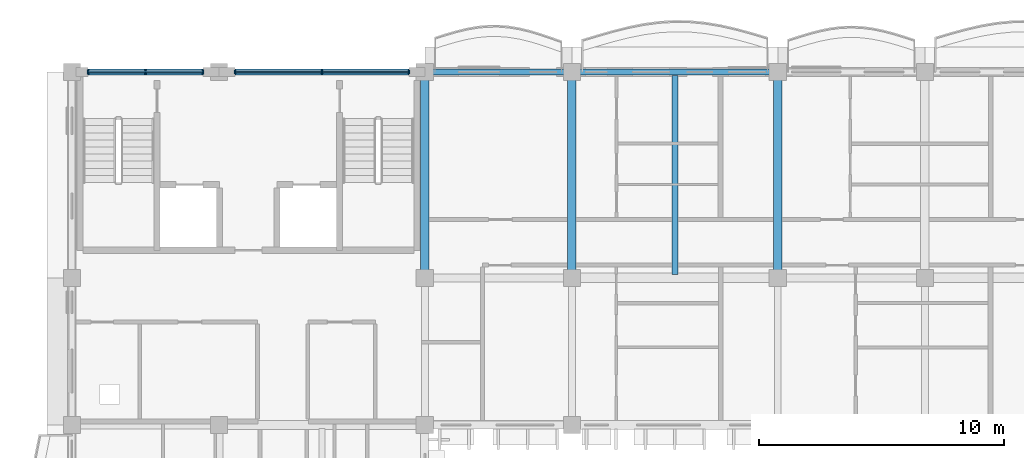
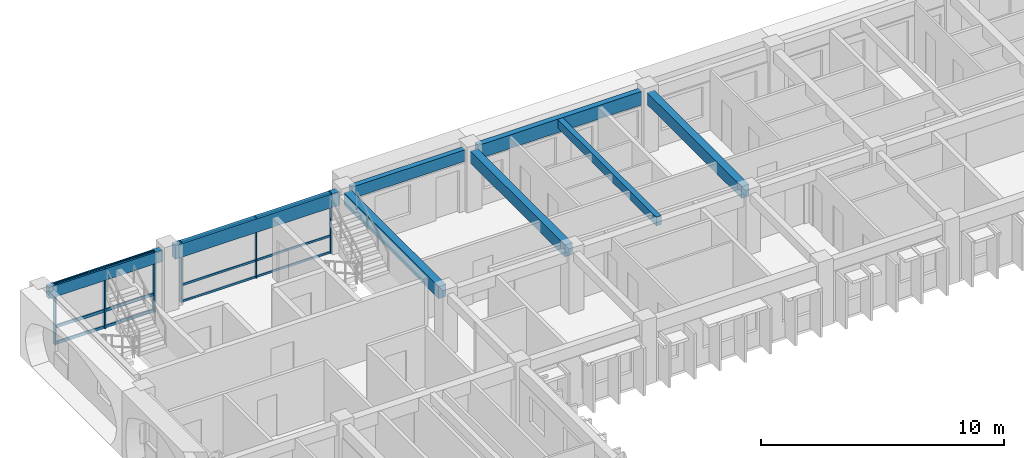
# One storey, part 5 of 70: 12 members, 8 beams, 2 elements without a shape of their own.
"""IFC4 building model written with IfcOpenShell, lengths in metres."""

from ifc_helpers import new_model, si_unit, direction, frame, origin, origin_2d, place, context, subcontext, project, spatial, rectangle, extrude, material, material_profile, profile_set, type_object, element, aggregate, save


model = new_model("IFC4")

# Units and contexts
model_context = context("Model", 3, precision=1e-05, world=origin(), true_north=direction((0.0, 1.0)))
body_context = subcontext(model_context, "Body", "Model", "MODEL_VIEW")
ifc_project = project(units=[si_unit("LENGTHUNIT", "METRE"), si_unit("AREAUNIT", "SQUARE_METRE"), si_unit("VOLUMEUNIT", "CUBIC_METRE"), si_unit("PLANEANGLEUNIT", "RADIAN"), si_unit("MASSUNIT", "GRAM", prefix="KILO"), si_unit("THERMODYNAMICTEMPERATUREUNIT", "KELVIN")], contexts=[model_context])

# Site, building, storey
site_placement = place(None, origin())
site = spatial("IfcSite", under=ifc_project, at=site_placement, CompositionType="ELEMENT")
building_placement = place(site_placement, origin())
building = spatial("IfcBuilding", under=site, at=building_placement, Name="Thalorik Housing Commons", CompositionType="ELEMENT")
storey_placement = place(building_placement, frame((0.0, 0.0, 14.699951171875)))
storey = spatial("IfcBuildingStorey", under=building, at=storey_placement, Name="L04", CompositionType="ELEMENT", Elevation=14.699951171875)

# Curtain wall, members
ifc_material_1 = material(Name="Anodised aluminium and solar-control low-E glass", Category="aluminium")
curtain_wall_type = type_object("IfcCurtainWallType", Name="ARC-CW-CORE", PredefinedType="USERDEFINED", material=ifc_material_1)
curtain_wall_1_placement = place(storey_placement, origin())
curtain_wall_1 = element("IfcCurtainWall", 1, at=curtain_wall_1_placement, inside=storey, type_object=curtain_wall_type, Name="L04 Curtain Wall CW-CORE-L04-A-018", ObjectType="CURTAIN WALL", PredefinedType="USERDEFINED")
ifc_material_2 = material(Name="Anodised aluminium 6063-T6", Category="aluminium")
ifc_material_profile_1 = material_profile(ifc_material_2, rectangle(XDim=0.054931640625, YDim=0.139892578125, at=origin_2d()), Name="ALU MUL 55x140", Category="aluminium")
ifc_profile_set_1 = profile_set([ifc_material_profile_1], Name="Anodised aluminium 6063-T6")
member_type_1 = type_object("IfcMemberType", Name="ARC-CW-MUL-55x140", PredefinedType="MULLION", material=ifc_profile_set_1)
member_1_placement = place(storey_placement, frame((22.14990234375, 123.60009765625, 0.0), z_axis=(0.0, 0.0, 1.0), x_axis=(-1.0, 0.0, 0.0)))
member_1 = element("IfcMember", 2, at=member_1_placement, type_object=member_type_1, Name="CW-CORE-L04-A-018 Mullion 1", PredefinedType="MULLION", context=body_context, shape_type="SweptSolid", body=[
    extrude(rectangle(XDim=0.054931640625, YDim=0.139892578125, at=origin_2d()), origin(), (0.0, 0.0, 1.0), 3.0400390625),
])
member_2_placement = place(storey_placement, frame((18.60009765625, 123.60009765625, 0.0), z_axis=(0.0, 0.0, 1.0), x_axis=(-1.0, 0.0, 0.0)))
member_2 = element("IfcMember", 3, at=member_2_placement, type_object=member_type_1, Name="CW-CORE-L04-A-018 Mullion 2", PredefinedType="MULLION", context=body_context, shape_type="SweptSolid", body=[
    extrude(rectangle(XDim=0.054931640625, YDim=0.139892578125, at=origin_2d()), origin(), (0.0, 0.0, 1.0), 3.0400390625),
])
member_3_placement = place(storey_placement, frame((15.050048828125, 123.60009765625, 0.0), z_axis=(0.0, 0.0, 1.0), x_axis=(-1.0, 0.0, 0.0)))
member_3 = element("IfcMember", 4, at=member_3_placement, type_object=member_type_1, Name="CW-CORE-L04-A-018 Mullion 3", PredefinedType="MULLION", context=body_context, shape_type="SweptSolid", body=[
    extrude(rectangle(XDim=0.054931640625, YDim=0.139892578125, at=origin_2d()), origin(), (0.0, 0.0, 1.0), 3.0400390625),
])

curtain_wall_2_placement = place(storey_placement, origin())
curtain_wall_2 = element("IfcCurtainWall", 5, at=curtain_wall_2_placement, inside=storey, type_object=curtain_wall_type, Name="L04 Curtain Wall CW-CORE-L04-A-019", ObjectType="CURTAIN WALL", PredefinedType="USERDEFINED")
ifc_material_profile_2 = material_profile(ifc_material_2, rectangle(XDim=0.06494140625, YDim=0.179931640625, at=origin_2d()), Name="ALU MUL 65x180", Category="aluminium")
ifc_profile_set_2 = profile_set([ifc_material_profile_2], Name="Anodised aluminium 6063-T6")
member_type_2 = type_object("IfcMemberType", Name="ARC-CW-MUL-65x180", PredefinedType="MULLION", material=ifc_profile_set_2)
member_4_placement = place(storey_placement, frame((13.75, 123.60009765625, 0.0), z_axis=(0.0, 0.0, 1.0), x_axis=(-1.0, 0.0, 0.0)))
member_4 = element("IfcMember", 6, at=member_4_placement, type_object=member_type_2, Name="CW-CORE-L04-A-019 Mullion 1", PredefinedType="MULLION", context=body_context, shape_type="SweptSolid", body=[
    extrude(rectangle(XDim=0.06494140625, YDim=0.179931640625, at=origin_2d()), origin(), (0.0, 0.0, 1.0), 3.0400390625),
])
member_5_placement = place(storey_placement, frame((11.39990234375, 123.60009765625, 0.0), z_axis=(0.0, 0.0, 1.0), x_axis=(-1.0, 0.0, 0.0)))
member_5 = element("IfcMember", 7, at=member_5_placement, type_object=member_type_2, Name="CW-CORE-L04-A-019 Mullion 2", PredefinedType="MULLION", context=body_context, shape_type="SweptSolid", body=[
    extrude(rectangle(XDim=0.06494140625, YDim=0.179931640625, at=origin_2d()), origin(), (0.0, 0.0, 1.0), 3.0400390625),
])
member_6_placement = place(storey_placement, frame((9.050048828125, 123.60009765625, 0.0), z_axis=(0.0, 0.0, 1.0), x_axis=(-1.0, 0.0, 0.0)))
member_6 = element("IfcMember", 8, at=member_6_placement, type_object=member_type_2, Name="CW-CORE-L04-A-019 Mullion 3", PredefinedType="MULLION", context=body_context, shape_type="SweptSolid", body=[
    extrude(rectangle(XDim=0.06494140625, YDim=0.179931640625, at=origin_2d()), origin(), (0.0, 0.0, 1.0), 3.0400390625),
])

# Member
ifc_material_profile_3 = material_profile(ifc_material_2, rectangle(XDim=0.054931640625, YDim=0.10498046875, at=origin_2d()), Name="ALU TRN 55x105", Category="aluminium")
ifc_profile_set_3 = profile_set([ifc_material_profile_3], Name="Anodised aluminium 6063-T6")
member_type_3 = type_object("IfcMemberType", Name="ARC-CW-TRN-55x105", PredefinedType="USERDEFINED", material=ifc_profile_set_3)
member_7_placement = place(storey_placement, frame((22.14990234375, 123.60009765625, 0.054931640625), z_axis=(-1.0, 0.0, 0.0), x_axis=(0.0, -1.0, 0.0)))
member_7 = element("IfcMember", 9, at=member_7_placement, type_object=member_type_3, Name="CW-CORE-L04-A-018 Transom 1", ObjectType="TRANSOM", PredefinedType="USERDEFINED", context=body_context, shape_type="SweptSolid", body=[
    extrude(rectangle(XDim=0.054931640625, YDim=0.10498046875, at=origin_2d()), origin(), (0.0, 0.0, 1.0), 7.099853515625),
])

member_8_placement = place(storey_placement, frame((22.14990234375, 123.60009765625, 0.880126953125), z_axis=(-1.0, 0.0, 0.0), x_axis=(0.0, -1.0, 0.0)))
member_8 = element("IfcMember", 10, at=member_8_placement, type_object=member_type_3, Name="CW-CORE-L04-A-018 Transom 2", ObjectType="TRANSOM", PredefinedType="USERDEFINED", context=body_context, shape_type="SweptSolid", body=[
    extrude(rectangle(XDim=0.054931640625, YDim=0.10498046875, at=origin_2d()), origin(), (0.0, 0.0, 1.0), 7.099853515625),
])

member_9_placement = place(storey_placement, frame((22.14990234375, 123.60009765625, 2.985107421875), z_axis=(-1.0, 0.0, 0.0), x_axis=(0.0, -1.0, 0.0)))
member_9 = element("IfcMember", 11, at=member_9_placement, type_object=member_type_3, Name="CW-CORE-L04-A-018 Transom 3", ObjectType="TRANSOM", PredefinedType="USERDEFINED", context=body_context, shape_type="SweptSolid", body=[
    extrude(rectangle(XDim=0.054931640625, YDim=0.10498046875, at=origin_2d()), origin(), (0.0, 0.0, 1.0), 7.099853515625),
])

aggregate(curtain_wall_1, [member_1, member_2, member_3, member_7, member_8, member_9])

ifc_material_profile_4 = material_profile(ifc_material_2, rectangle(XDim=0.06494140625, YDim=0.14990234375, at=origin_2d()), Name="ALU TRN 65x150", Category="aluminium")
ifc_profile_set_4 = profile_set([ifc_material_profile_4], Name="Anodised aluminium 6063-T6")
member_type_4 = type_object("IfcMemberType", Name="ARC-CW-TRN-65x150", PredefinedType="USERDEFINED", material=ifc_profile_set_4)
member_10_placement = place(storey_placement, frame((13.75, 123.60009765625, 0.054931640625), z_axis=(-1.0, 0.0, 0.0), x_axis=(0.0, -1.0, 0.0)))
member_10 = element("IfcMember", 12, at=member_10_placement, type_object=member_type_4, Name="CW-CORE-L04-A-019 Transom 1", ObjectType="TRANSOM", PredefinedType="USERDEFINED", context=body_context, shape_type="SweptSolid", body=[
    extrude(rectangle(XDim=0.06494140625, YDim=0.14990234375, at=origin_2d()), origin(), (0.0, 0.0, 1.0), 4.699951171875),
])

member_11_placement = place(storey_placement, frame((13.75, 123.60009765625, 0.880126953125), z_axis=(-1.0, 0.0, 0.0), x_axis=(0.0, -1.0, 0.0)))
member_11 = element("IfcMember", 13, at=member_11_placement, type_object=member_type_4, Name="CW-CORE-L04-A-019 Transom 2", ObjectType="TRANSOM", PredefinedType="USERDEFINED", context=body_context, shape_type="SweptSolid", body=[
    extrude(rectangle(XDim=0.06494140625, YDim=0.14990234375, at=origin_2d()), origin(), (0.0, 0.0, 1.0), 4.699951171875),
])

member_12_placement = place(storey_placement, frame((13.75, 123.60009765625, 2.985107421875), z_axis=(-1.0, 0.0, 0.0), x_axis=(0.0, -1.0, 0.0)))
member_12 = element("IfcMember", 14, at=member_12_placement, type_object=member_type_4, Name="CW-CORE-L04-A-019 Transom 3", ObjectType="TRANSOM", PredefinedType="USERDEFINED", context=body_context, shape_type="SweptSolid", body=[
    extrude(rectangle(XDim=0.06494140625, YDim=0.14990234375, at=origin_2d()), origin(), (0.0, 0.0, 1.0), 4.699951171875),
])

aggregate(curtain_wall_2, [member_4, member_5, member_6, member_10, member_11, member_12])

# Beams
ifc_material_3 = material(Name="Precast concrete C40/50", Category="concrete")
ifc_material_profile_5 = material_profile(ifc_material_3, rectangle(XDim=0.35009765625, YDim=0.60009765625, at=origin_2d()), Name="PC 350x600", Category="concrete")
ifc_profile_set_5 = profile_set([ifc_material_profile_5], Name="Precast concrete C40/50")
beam_type_1 = type_object("IfcBeamType", Name="STR-BM-PC350x600", PredefinedType="BEAM", material=ifc_profile_set_5)
for number, where, z_axis, x_axis, name in (
    (15, (22.800048828125, 115.5, 2.739990234375), (0.0, 1.0, 0.0), (-1.0, 0.0, 0.0), "L04 Beam B-600"),
    (16, (28.800048828125, 115.5, 2.739990234375), (0.0, 1.0, 0.0), (-1.0, 0.0, 0.0), "L04 Beam B-600"),
    (17, (37.199951171875, 115.5, 2.739990234375), (0.0, 1.0, 0.0), (-1.0, 0.0, 0.0), "L04 Beam B-600"),
):
    element("IfcBeam", number, at=place(storey_placement, frame(where, z_axis=z_axis, x_axis=x_axis)), inside=storey, type_object=beam_type_1, Name=name, PredefinedType="BEAM", context=body_context, shape_type="SweptSolid", body=[
        extrude(rectangle(XDim=0.35009765625, YDim=0.60009765625, at=origin_2d()), origin(), (0.0, 0.0, 1.0), 7.800048828125),
    ])
ifc_material_profile_6 = material_profile(ifc_material_3, rectangle(XDim=0.239990234375, YDim=0.43994140625, at=origin_2d()), Name="PC JST 240x440", Category="concrete")
ifc_profile_set_6 = profile_set([ifc_material_profile_6], Name="Precast concrete C40/50")
beam_type_2 = type_object("IfcBeamType", Name="STR-JST-PC240x440", PredefinedType="JOIST", material=ifc_profile_set_6)
beam_1_placement = place(storey_placement, frame((33.0, 115.340087890625, 2.820068359375), z_axis=(0.0, 1.0, 0.0), x_axis=(-1.0, 0.0, 0.0)))
element("IfcBeam", 18, at=beam_1_placement, inside=storey, type_object=beam_type_2, Name="L04 Beam J-440", PredefinedType="JOIST", context=body_context, shape_type="SweptSolid", body=[
    extrude(rectangle(XDim=0.239990234375, YDim=0.43994140625, at=origin_2d()), origin(), (0.0, 0.0, 1.0), 8.119873046875),
])
ifc_material_profile_7 = material_profile(ifc_material_3, rectangle(XDim=0.239990234375, YDim=0.580078125, at=origin_2d()), Name="PC SP 240x580", Category="concrete")
ifc_profile_set_7 = profile_set([ifc_material_profile_7], Name="Precast concrete C40/50")
beam_type_3 = type_object("IfcBeamType", Name="STR-SP-PC240x580", PredefinedType="SPANDREL", material=ifc_profile_set_7)
beam_2_placement = place(storey_placement, frame((8.699951171875, 123.60009765625, 2.75), z_axis=(1.0, 0.0, 0.0), x_axis=(0.0, 1.0, 0.0)))
element("IfcBeam", 19, at=beam_2_placement, inside=storey, type_object=beam_type_3, Name="L04 Beam B-550", PredefinedType="SPANDREL", context=body_context, shape_type="SweptSolid", body=[
    extrude(rectangle(XDim=0.239990234375, YDim=0.580078125, at=origin_2d()), origin(), (0.0, 0.0, 1.0), 5.400146484375),
])
beam_3_placement = place(storey_placement, frame((23.10009765625, 123.60009765625, 2.75), z_axis=(1.0, 0.0, 0.0), x_axis=(0.0, 1.0, 0.0)))
element("IfcBeam", 20, at=beam_3_placement, inside=storey, type_object=beam_type_3, Name="L04 Beam B-550", PredefinedType="SPANDREL", context=body_context, shape_type="SweptSolid", body=[
    extrude(rectangle(XDim=0.239990234375, YDim=0.580078125, at=origin_2d()), origin(), (0.0, 0.0, 1.0), 5.39990234375),
])
ifc_material_profile_8 = material_profile(ifc_material_3, rectangle(XDim=0.260009765625, YDim=0.679931640625, at=origin_2d()), Name="PC SP 260x680", Category="concrete")
ifc_profile_set_8 = profile_set([ifc_material_profile_8], Name="Precast concrete C40/50")
beam_type_4 = type_object("IfcBeamType", Name="STR-SP-PC260x680", PredefinedType="SPANDREL", material=ifc_profile_set_8)
beam_4_placement = place(storey_placement, frame((14.699951171875, 123.60009765625, 2.699951171875), z_axis=(1.0, 0.0, 0.0), x_axis=(0.0, 1.0, 0.0)))
element("IfcBeam", 21, at=beam_4_placement, inside=storey, type_object=beam_type_4, Name="L04 Beam B-650", PredefinedType="SPANDREL", context=body_context, shape_type="SweptSolid", body=[
    extrude(rectangle(XDim=0.260009765625, YDim=0.679931640625, at=origin_2d()), origin(), (0.0, 0.0, 1.0), 7.800048828125),
])
beam_5_placement = place(storey_placement, frame((29.10009765625, 123.60009765625, 2.699951171875), z_axis=(1.0, 0.0, 0.0), x_axis=(0.0, 1.0, 0.0)))
element("IfcBeam", 22, at=beam_5_placement, inside=storey, type_object=beam_type_4, Name="L04 Beam B-650", PredefinedType="SPANDREL", context=body_context, shape_type="SweptSolid", body=[
    extrude(rectangle(XDim=0.260009765625, YDim=0.679931640625, at=origin_2d()), origin(), (0.0, 0.0, 1.0), 7.7998046875),
])

save(model, "model.ifc")
